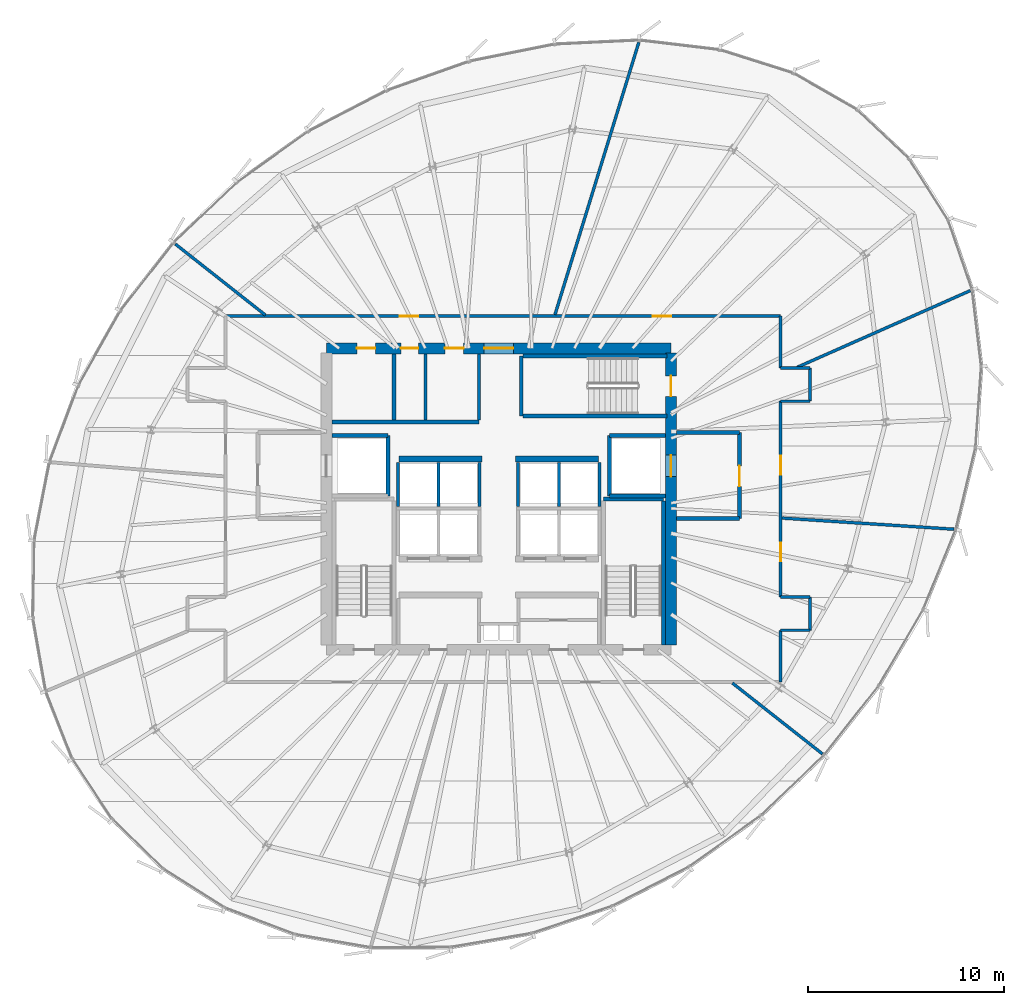
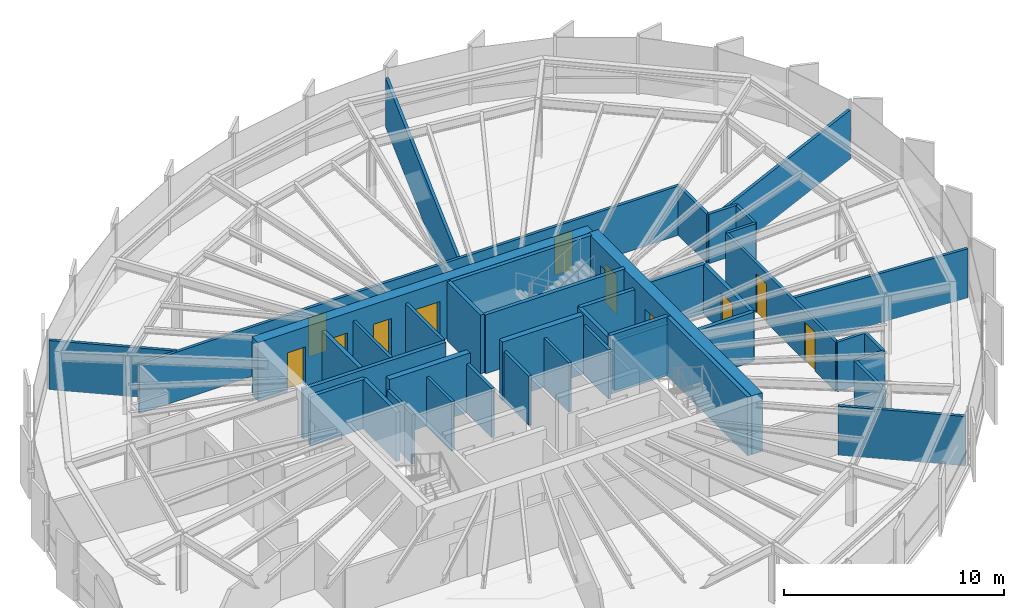
# One storey, part 31 of 35: 42 walls, 11 doors, 11 openings.
"""IFC4 building model written with IfcOpenShell, lengths in metres."""

from ifc_helpers import new_model, si_unit, direction, frame, frame_2d, origin, place, context, subcontext, project, spatial, rectangle, extrude, source, transform, mapped, material, layer, layer_set, type_object, element, fill, save


model = new_model("IFC4")

# Units and contexts
model_context = context("Model", 3, precision=1e-05, world=origin(), true_north=direction((0.0, 1.0)))
body_context = subcontext(model_context, "Body", "Model", "MODEL_VIEW")
ifc_project = project(units=[si_unit("LENGTHUNIT", "METRE"), si_unit("AREAUNIT", "SQUARE_METRE"), si_unit("VOLUMEUNIT", "CUBIC_METRE"), si_unit("PLANEANGLEUNIT", "RADIAN"), si_unit("MASSUNIT", "GRAM", prefix="KILO"), si_unit("THERMODYNAMICTEMPERATUREUNIT", "KELVIN")], contexts=[model_context])

# Site, building, storey
site_placement = place(None, origin())
site = spatial("IfcSite", under=ifc_project, at=site_placement, CompositionType="ELEMENT")
building_placement = place(site_placement, origin())
building = spatial("IfcBuilding", under=site, at=building_placement, Name="Kethvar Cultural Tower", CompositionType="ELEMENT")
storey_placement = place(building_placement, frame((0.0, 0.0, 193.89990234375)))
storey = spatial("IfcBuildingStorey", under=building, at=storey_placement, Name="L50", CompositionType="ELEMENT", Elevation=193.89990234375)

# Wall, openings, doors
ifc_material_1 = material(Name="Concrete C60/75", Category="concrete")
ifc_layer_1 = layer(ifc_material_1, 0.550048828125, Name="Concrete C60/75", Category="concrete")
ifc_layer_set_1 = layer_set([ifc_layer_1], Name="Concrete C60/75 (550 mm)")
wall_type_1 = type_object("IfcWallType", Name="WL-CORE-550", PredefinedType="SHEAR", material=ifc_layer_set_1)
wall_1_placement = place(storey_placement, frame((55.60009765625, 35.5, 0.0), z_axis=(0.0, 0.0, 1.0), x_axis=(-1.0, 0.0, 0.0)))
wall_1 = element("IfcWall", 1, at=wall_1_placement, inside=storey, type_object=wall_type_1, Name="L50 Core Shear Wall N", PredefinedType="SHEAR", context=body_context, shape_type="SweptSolid", body=[
    extrude(rectangle(XDim=17.60009765625, YDim=0.550048828125, at=frame_2d((8.800048828125, 0.0))), origin(), (0.0, 0.0, 1.0), 3.260009765625),
])
opening_1_placement = place(wall_1_placement, frame((8.050048828125, 0.0, 0.0)))
opening_1 = element("IfcOpeningElement", 2, at=opening_1_placement, cuts=wall_1, Name="Opening D-L50-LN", PredefinedType="OPENING", context=body_context, shape_type="SweptSolid", body=[
    extrude(rectangle(XDim=1.5, YDim=2.199951171875, at=frame_2d((0.75, 1.10009765625))), frame((0.0, 0.284912109375, 0.0), z_axis=(0.0, -1.0, 0.0), x_axis=(1.0, 0.0, 0.0)), (0.0, 0.0, 1.0), 0.570068359375),
])
opening_2_placement = place(wall_1_placement, frame((15.10009765625, 0.0, 0.0)))
opening_2 = element("IfcOpeningElement", 3, at=opening_2_placement, cuts=wall_1, Name="Opening D-L50-E1", PredefinedType="OPENING", context=body_context, shape_type="SweptSolid", body=[
    extrude(rectangle(XDim=0.949951171875, YDim=2.14990234375, at=frame_2d((0.47509765625, 1.074951171875))), frame((0.0, 0.284912109375, 0.0), z_axis=(0.0, -1.0, 0.0), x_axis=(1.0, 0.0, 0.0)), (0.0, 0.0, 1.0), 0.570068359375),
])
opening_3_placement = place(wall_1_placement, frame((12.89990234375, 0.0, 0.0)))
opening_3 = element("IfcOpeningElement", 4, at=opening_3_placement, cuts=wall_1, Name="Opening D-L50-W1", PredefinedType="OPENING", context=body_context, shape_type="SweptSolid", body=[
    extrude(rectangle(XDim=0.89990234375, YDim=2.14990234375, at=frame_2d((0.449951171875, 1.074951171875))), frame((0.0, 0.284912109375, 0.0), z_axis=(0.0, -1.0, 0.0), x_axis=(1.0, 0.0, 0.0)), (0.0, 0.0, 1.0), 0.570068359375),
])
opening_4_placement = place(wall_1_placement, frame((10.60009765625, 0.0, 0.0)))
opening_4 = element("IfcOpeningElement", 5, at=opening_4_placement, cuts=wall_1, Name="Opening D-L50-W2", PredefinedType="OPENING", context=body_context, shape_type="SweptSolid", body=[
    extrude(rectangle(XDim=0.949951171875, YDim=2.14990234375, at=frame_2d((0.47509765625, 1.074951171875))), frame((0.0, 0.284912109375, 0.0), z_axis=(0.0, -1.0, 0.0), x_axis=(1.0, 0.0, 0.0)), (0.0, 0.0, 1.0), 0.570068359375),
])
ifc_material_2 = material(Name="Architectural Oak Timber", Category="wood")
door_type_1 = type_object("IfcDoorType", Name="DR-DBL-FD60-1500", OperationType="DOUBLE_DOOR_SINGLE_SWING", PredefinedType="DOOR", material=ifc_material_2)
shared_shape_1 = source(origin(), body_context, "Body", "SweptSolid", [
    extrude(rectangle(XDim=1.5, YDim=2.199951171875, at=frame_2d((0.75, 1.10009765625))), frame((0.0, 0.02490234375, 0.0), z_axis=(0.0, -1.0, 0.0), x_axis=(1.0, 0.0, 0.0)), (0.0, 0.0, 1.0), 0.050048828125),
])
door_1_placement = place(opening_1_placement, origin())
door_1 = element("IfcDoor", 6, at=door_1_placement, inside=storey, type_object=door_type_1, Name="L50 Lift Lobby Concourse Door", OperationType="DOUBLE_DOOR_SINGLE_SWING", OverallHeight=2.199951171875, OverallWidth=1.5, PredefinedType="DOOR", context=body_context, shape_type="MappedRepresentation", body=[
    mapped(shared_shape_1, transform((0.0, 0.0, 0.0), scale=1.0)),
])
fill(opening_1, door_1)
door_type_2 = type_object("IfcDoorType", Name="DR-FD30-950", OperationType="NOTDEFINED", PredefinedType="DOOR", material=ifc_material_2)
shared_shape_2 = source(origin(), body_context, "Body", "SweptSolid", [
    extrude(rectangle(XDim=0.949951171875, YDim=2.14990234375, at=frame_2d((0.47509765625, 1.074951171875))), frame((0.0, 0.02490234375, 0.0), z_axis=(0.0, -1.0, 0.0), x_axis=(1.0, 0.0, 0.0)), (0.0, 0.0, 1.0), 0.050048828125),
])
door_2_placement = place(opening_2_placement, origin())
door_2 = element("IfcDoor", 7, at=door_2_placement, inside=storey, type_object=door_type_2, Name="L50 Electrical Switchgear Door", OperationType="SINGLE_SWING_RIGHT", OverallHeight=2.14990234375, OverallWidth=0.949951171875, PredefinedType="DOOR", context=body_context, shape_type="MappedRepresentation", body=[
    mapped(shared_shape_2, transform((0.0, 0.0, 0.0), scale=1.0)),
])
fill(opening_2, door_2)
door_3_placement = place(opening_4_placement, origin())
door_3 = element("IfcDoor", 8, at=door_3_placement, inside=storey, type_object=door_type_2, Name="L50 Public Washroom Door", OperationType="SINGLE_SWING_RIGHT", OverallHeight=2.14990234375, OverallWidth=0.949951171875, PredefinedType="DOOR", context=body_context, shape_type="MappedRepresentation", body=[
    mapped(shared_shape_2, transform((0.0, 0.0, 0.0), scale=1.0)),
])
fill(opening_4, door_3)
door_type_3 = type_object("IfcDoorType", Name="DR-FD30-900", OperationType="NOTDEFINED", PredefinedType="DOOR", material=ifc_material_2)
shared_shape_3 = source(origin(), body_context, "Body", "SweptSolid", [
    extrude(rectangle(XDim=0.89990234375, YDim=2.14990234375, at=frame_2d((0.449951171875, 1.074951171875))), frame((0.0, 0.02490234375, 0.0), z_axis=(0.0, -1.0, 0.0), x_axis=(1.0, 0.0, 0.0)), (0.0, 0.0, 1.0), 0.050048828125),
])
door_4_placement = place(opening_3_placement, origin())
door_4 = element("IfcDoor", 9, at=door_4_placement, inside=storey, type_object=door_type_3, Name="L50 Accessible Washroom Door", OperationType="SINGLE_SWING_LEFT", OverallHeight=2.14990234375, OverallWidth=0.89990234375, PredefinedType="DOOR", context=body_context, shape_type="MappedRepresentation", body=[
    mapped(shared_shape_3, transform((0.0, 0.0, 0.0), scale=1.0)),
])
fill(opening_3, door_4)

wall_2_placement = place(storey_placement, frame((55.60009765625, 20.340087890625, 0.0), z_axis=(0.0, 0.0, 1.0), x_axis=(0.0, 1.0, 0.0)))
wall_2 = element("IfcWall", 10, at=wall_2_placement, inside=storey, type_object=wall_type_1, Name="L50 Core Shear Wall E", PredefinedType="SHEAR", context=body_context, shape_type="SweptSolid", body=[
    extrude(rectangle(XDim=14.919921875, YDim=0.550048828125, at=frame_2d((7.4599609375, 0.0))), origin(), (0.0, 0.0, 1.0), 3.260009765625),
])
opening_5_placement = place(wall_2_placement, frame((12.7099609375, 0.0, 0.0)))
opening_5 = element("IfcOpeningElement", 11, at=opening_5_placement, cuts=wall_2, Name="Opening D-L50-S3", PredefinedType="OPENING", context=body_context, shape_type="SweptSolid", body=[
    extrude(rectangle(XDim=1.050048828125, YDim=2.14990234375, at=frame_2d((0.52490234375, 1.074951171875))), frame((0.0, 0.284912109375, 0.0), z_axis=(0.0, -1.0, 0.0), x_axis=(1.0, 0.0, 0.0)), (0.0, 0.0, 1.0), 0.570068359375),
])
opening_6_placement = place(wall_2_placement, frame((8.610107421875, 0.0, 0.0)))
opening_6 = element("IfcOpeningElement", 12, at=opening_6_placement, cuts=wall_2, Name="Opening LD-2", PredefinedType="OPENING", context=body_context, shape_type="SweptSolid", body=[
    extrude(rectangle(XDim=1.10009765625, YDim=2.199951171875, at=frame_2d((0.550048828125, 1.10009765625))), frame((0.0, 0.284912109375, 0.0), z_axis=(0.0, -1.0, 0.0), x_axis=(1.0, 0.0, 0.0)), (0.0, 0.0, 1.0), 0.570068359375),
])
ifc_material_3 = material(Name="Steel S355J2", Category="steel")
door_type_4 = type_object("IfcDoorType", Name="DR-FD60-1050", OperationType="NOTDEFINED", PredefinedType="DOOR", material=ifc_material_3)
shared_shape_4 = source(origin(), body_context, "Body", "SweptSolid", [
    extrude(rectangle(XDim=1.050048828125, YDim=2.14990234375, at=frame_2d((0.52490234375, 1.074951171875))), frame((0.0, 0.02490234375, 0.0), z_axis=(0.0, -1.0, 0.0), x_axis=(1.0, 0.0, 0.0)), (0.0, 0.0, 1.0), 0.050048828125),
])
door_5_placement = place(opening_5_placement, origin())
door_5 = element("IfcDoor", 13, at=door_5_placement, inside=storey, type_object=door_type_4, Name="L50 Exit Stair 3 Door", OperationType="SINGLE_SWING_LEFT", OverallHeight=2.14990234375, OverallWidth=1.050048828125, PredefinedType="DOOR", context=body_context, shape_type="MappedRepresentation", body=[
    mapped(shared_shape_4, transform((0.0, 0.0, 0.0), scale=1.0)),
])
fill(opening_5, door_5)
door_type_5 = type_object("IfcDoorType", Name="DR-LIFT-SLIDE-1100", OperationType="NOTDEFINED", PredefinedType="DOOR", material=ifc_material_3)
shared_shape_5 = source(origin(), body_context, "Body", "SweptSolid", [
    extrude(rectangle(XDim=1.10009765625, YDim=2.199951171875, at=frame_2d((0.550048828125, 1.10009765625))), frame((0.0, 0.02490234375, 0.0), z_axis=(0.0, -1.0, 0.0), x_axis=(1.0, 0.0, 0.0)), (0.0, 0.0, 1.0), 0.050048828125),
])
door_6_placement = place(opening_6_placement, origin())
door_6 = element("IfcDoor", 14, at=door_6_placement, inside=storey, type_object=door_type_5, Name="L50 Firefighting Lift Landing Door FFL-02", OperationType="SLIDING_TO_RIGHT", OverallHeight=2.199951171875, OverallWidth=1.10009765625, PredefinedType="DOOR", context=body_context, shape_type="MappedRepresentation", body=[
    mapped(shared_shape_5, transform((0.0, 0.0, 0.0), scale=1.0)),
])
fill(opening_6, door_6)

# Walls
ifc_material_4 = material(Name="Gypsum Fireboard Partition")
ifc_layer_2 = layer(ifc_material_4, 0.14990234375, Name="Gypsum Fireboard Partition")
ifc_layer_set_2 = layer_set([ifc_layer_2], Name="Gypsum Fireboard Partition (150 mm)")
wall_type_2 = type_object("IfcWallType", Name="WL-FIRE-150", PredefinedType="PARTITIONING", material=ifc_layer_set_2)
for number, where, z_axis, x_axis, name in (
    (15, (41.64990234375, 27.409912109375, 0.0), (0.0, 0.0, 1.0), (0.0, 1.0, 0.0), "L50 High-Rise Lift Shaft Outer Wall W"),
    (16, (43.72509765625, 27.409912109375, 0.0), (0.0, 0.0, 1.0), (0.0, 1.0, 0.0), "L50 High-Rise Lift Shaft Divider W"),
    (17, (45.824951171875, 27.409912109375, 0.0), (0.0, 0.0, 1.0), (0.0, 1.0, 0.0), "L50 High-Rise Lift Shaft Concourse Wall W"),
    (18, (47.77490234375, 27.409912109375, 0.0), (0.0, 0.0, 1.0), (0.0, 1.0, 0.0), "L50 High-Rise Lift Shaft Concourse Wall E"),
    (19, (49.875, 27.409912109375, 0.0), (0.0, 0.0, 1.0), (0.0, 1.0, 0.0), "L50 High-Rise Lift Shaft Divider E"),
    (20, (51.949951171875, 27.409912109375, 0.0), (0.0, 0.0, 1.0), (0.0, 1.0, 0.0), "L50 High-Rise Lift Shaft Outer Wall E"),
):
    element("IfcWall", number, at=place(storey_placement, frame(where, z_axis=z_axis, x_axis=x_axis)), inside=storey, type_object=wall_type_2, Name=name, PredefinedType="PARTITIONING", context=body_context, shape_type="SweptSolid", body=[
        extrude(rectangle(XDim=2.27001953125, YDim=0.14990234375, at=frame_2d((1.135009765625, 0.0))), origin(), (0.0, 0.0, 1.0), 2.735107421875),
    ])
wall_3_placement = place(storey_placement, frame((45.800048828125, 31.85009765625, 0.0), z_axis=(0.0, 0.0, 1.0), x_axis=(0.0, 1.0, 0.0)))
element("IfcWall", 21, at=wall_3_placement, inside=storey, type_object=wall_type_2, Name="L50 Sanitary Spine Wall", PredefinedType="PARTITIONING", context=body_context, shape_type="SweptSolid", body=[
    extrude(rectangle(XDim=3.364990234375, YDim=0.14990234375, at=frame_2d((1.6826171875, 0.0))), origin(), (0.0, 0.0, 1.0), 2.735107421875),
])
wall_4_placement = place(storey_placement, frame((61.199951171875, 18.449951171875, 0.0), z_axis=(0.0, 0.0, 1.0), x_axis=(0.0, 1.0, 0.0)))
element("IfcWall", 22, at=wall_4_placement, inside=storey, type_object=wall_type_2, Name="L50 Corridor Rated Wall E1", PredefinedType="PARTITIONING", context=body_context, shape_type="SweptSolid", body=[
    extrude(rectangle(XDim=2.650146484375, YDim=0.14990234375, at=frame_2d((1.3251953125, 0.0))), origin(), (0.0, 0.0, 1.0), 2.735107421875),
])
wall_5_placement = place(storey_placement, frame((61.199951171875, 21.10009765625, 0.0), z_axis=(0.0, 0.0, 1.0), x_axis=(1.0, 0.0, 0.0)))
element("IfcWall", 23, at=wall_5_placement, inside=storey, type_object=wall_type_2, Name="L50 Corridor Rated Wall ESB", PredefinedType="PARTITIONING", context=body_context, shape_type="SweptSolid", body=[
    extrude(rectangle(XDim=1.5, YDim=0.14990234375, at=frame_2d((0.75, 0.0))), origin(), (0.0, 0.0, 1.0), 2.735107421875),
])
wall_6_placement = place(storey_placement, frame((62.699951171875, 21.10009765625, 0.0), z_axis=(0.0, 0.0, 1.0), x_axis=(0.0, 1.0, 0.0)))
element("IfcWall", 24, at=wall_6_placement, inside=storey, type_object=wall_type_2, Name="L50 Corridor Rated Wall ES", PredefinedType="PARTITIONING", context=body_context, shape_type="SweptSolid", body=[
    extrude(rectangle(XDim=1.699951171875, YDim=0.14990234375, at=frame_2d((0.85009765625, 0.0))), origin(), (0.0, 0.0, 1.0), 2.735107421875),
])
wall_7_placement = place(storey_placement, frame((62.699951171875, 22.800048828125, 0.0), z_axis=(0.0, 0.0, 1.0), x_axis=(-1.0, 0.0, 0.0)))
element("IfcWall", 25, at=wall_7_placement, inside=storey, type_object=wall_type_2, Name="L50 Corridor Rated Wall EST", PredefinedType="PARTITIONING", context=body_context, shape_type="SweptSolid", body=[
    extrude(rectangle(XDim=1.5, YDim=0.14990234375, at=frame_2d((0.75, 0.0))), origin(), (0.0, 0.0, 1.0), 2.735107421875),
])

# Wall, openings, doors
wall_8_placement = place(storey_placement, frame((61.199951171875, 22.800048828125, 0.0), z_axis=(0.0, 0.0, 1.0), x_axis=(0.0, 1.0, 0.0)))
wall_8 = element("IfcWall", 26, at=wall_8_placement, inside=storey, type_object=wall_type_2, Name="L50 Corridor Rated Wall EM", PredefinedType="PARTITIONING", context=body_context, shape_type="SweptSolid", body=[
    extrude(rectangle(XDim=10.0, YDim=0.14990234375, at=frame_2d((5.0, 0.0))), origin(), (0.0, 0.0, 1.0), 2.735107421875),
])
opening_7_placement = place(wall_8_placement, frame((1.8330078125, 0.0, 0.0)))
opening_7 = element("IfcOpeningElement", 27, at=opening_7_placement, cuts=wall_8, Name="Opening D-L50-03", PredefinedType="OPENING", context=body_context, shape_type="SweptSolid", body=[
    extrude(rectangle(XDim=0.949951171875, YDim=2.14990234375, at=frame_2d((0.47509765625, 1.074951171875))), frame((0.0, 0.0849609375, 0.0), z_axis=(0.0, -1.0, 0.0), x_axis=(1.0, 0.0, 0.0)), (0.0, 0.0, 1.0), 0.169921875),
])
opening_8_placement = place(wall_8_placement, frame((6.252685546875, 0.0, 0.0)))
opening_8 = element("IfcOpeningElement", 28, at=opening_8_placement, cuts=wall_8, Name="Opening D-L50-04", PredefinedType="OPENING", context=body_context, shape_type="SweptSolid", body=[
    extrude(rectangle(XDim=0.949951171875, YDim=2.14990234375, at=frame_2d((0.47509765625, 1.074951171875))), frame((0.0, 0.0849609375, 0.0), z_axis=(0.0, -1.0, 0.0), x_axis=(1.0, 0.0, 0.0)), (0.0, 0.0, 1.0), 0.169921875),
])
door_7_placement = place(opening_7_placement, origin())
door_7 = element("IfcDoor", 29, at=door_7_placement, inside=storey, type_object=door_type_2, Name="L50 Decorative Arts Craft Workshop 03 Door", OperationType="SINGLE_SWING_LEFT", OverallHeight=2.14990234375, OverallWidth=0.949951171875, PredefinedType="DOOR", context=body_context, shape_type="MappedRepresentation", body=[
    mapped(shared_shape_2, transform((0.0, 0.0, 0.0), scale=1.0)),
])
fill(opening_7, door_7)
door_8_placement = place(opening_8_placement, origin())
door_8 = element("IfcDoor", 30, at=door_8_placement, inside=storey, type_object=door_type_2, Name="L50 Curatorial Conference Room 04 Door", OperationType="SINGLE_SWING_RIGHT", OverallHeight=2.14990234375, OverallWidth=0.949951171875, PredefinedType="DOOR", context=body_context, shape_type="MappedRepresentation", body=[
    mapped(shared_shape_2, transform((0.0, 0.0, 0.0), scale=1.0)),
])
fill(opening_8, door_8)

# Walls
wall_9_placement = place(storey_placement, frame((61.199951171875, 32.800048828125, 0.0), z_axis=(0.0, 0.0, 1.0), x_axis=(1.0, 0.0, 0.0)))
element("IfcWall", 31, at=wall_9_placement, inside=storey, type_object=wall_type_2, Name="L50 Corridor Rated Wall ENB", PredefinedType="PARTITIONING", context=body_context, shape_type="SweptSolid", body=[
    extrude(rectangle(XDim=1.5, YDim=0.14990234375, at=frame_2d((0.75, 0.0))), origin(), (0.0, 0.0, 1.0), 2.735107421875),
])
wall_10_placement = place(storey_placement, frame((62.699951171875, 32.800048828125, 0.0), z_axis=(0.0, 0.0, 1.0), x_axis=(0.0, 1.0, 0.0)))
element("IfcWall", 32, at=wall_10_placement, inside=storey, type_object=wall_type_2, Name="L50 Corridor Rated Wall EN", PredefinedType="PARTITIONING", context=body_context, shape_type="SweptSolid", body=[
    extrude(rectangle(XDim=1.699951171875, YDim=0.14990234375, at=frame_2d((0.85009765625, 0.0))), origin(), (0.0, 0.0, 1.0), 2.735107421875),
])
wall_11_placement = place(storey_placement, frame((62.699951171875, 34.5, 0.0), z_axis=(0.0, 0.0, 1.0), x_axis=(-1.0, 0.0, 0.0)))
element("IfcWall", 33, at=wall_11_placement, inside=storey, type_object=wall_type_2, Name="L50 Corridor Rated Wall ENT", PredefinedType="PARTITIONING", context=body_context, shape_type="SweptSolid", body=[
    extrude(rectangle(XDim=1.5, YDim=0.14990234375, at=frame_2d((0.75, 0.0))), origin(), (0.0, 0.0, 1.0), 2.735107421875),
])
wall_12_placement = place(storey_placement, frame((61.199951171875, 34.5, 0.0), z_axis=(0.0, 0.0, 1.0), x_axis=(0.0, 1.0, 0.0)))
element("IfcWall", 34, at=wall_12_placement, inside=storey, type_object=wall_type_2, Name="L50 Corridor Rated Wall E2", PredefinedType="PARTITIONING", context=body_context, shape_type="SweptSolid", body=[
    extrude(rectangle(XDim=2.64990234375, YDim=0.14990234375, at=frame_2d((1.324951171875, 0.0))), origin(), (0.0, 0.0, 1.0), 2.735107421875),
])

# Wall, openings, doors
wall_13_placement = place(storey_placement, frame((61.199951171875, 37.14990234375, 0.0), z_axis=(0.0, 0.0, 1.0), x_axis=(-1.0, 0.0, 0.0)))
wall_13 = element("IfcWall", 35, at=wall_13_placement, inside=storey, type_object=wall_type_2, Name="L50 Corridor Rated Wall N", PredefinedType="PARTITIONING", context=body_context, shape_type="SweptSolid", body=[
    extrude(rectangle(XDim=28.349853515625, YDim=0.14990234375, at=frame_2d((14.1748046875, 0.0))), origin(), (0.0, 0.0, 1.0), 2.735107421875),
])
opening_9_placement = place(wall_13_placement, frame((5.589111328125, 0.0, 0.0)))
opening_9 = element("IfcOpeningElement", 36, at=opening_9_placement, cuts=wall_13, Name="Opening D-L50-05", PredefinedType="OPENING", context=body_context, shape_type="SweptSolid", body=[
    extrude(rectangle(XDim=0.949951171875, YDim=2.14990234375, at=frame_2d((0.47509765625, 1.074951171875))), frame((0.0, 0.0849609375, 0.0), z_axis=(0.0, -1.0, 0.0), x_axis=(1.0, 0.0, 0.0)), (0.0, 0.0, 1.0), 0.169921875),
])
opening_10_placement = place(wall_13_placement, frame((18.506591796875, 0.0, 0.0)))
opening_10 = element("IfcOpeningElement", 37, at=opening_10_placement, cuts=wall_13, Name="Opening D-L50-06", PredefinedType="OPENING", context=body_context, shape_type="SweptSolid", body=[
    extrude(rectangle(XDim=0.949951171875, YDim=2.14990234375, at=frame_2d((0.47509765625, 1.074951171875))), frame((0.0, 0.0849609375, 0.0), z_axis=(0.0, -1.0, 0.0), x_axis=(1.0, 0.0, 0.0)), (0.0, 0.0, 1.0), 0.169921875),
])
door_9_placement = place(opening_9_placement, origin())
door_9 = element("IfcDoor", 38, at=door_9_placement, inside=storey, type_object=door_type_2, Name="L50 Colloquium Seminar Room 05 Door", OperationType="SINGLE_SWING_LEFT", OverallHeight=2.14990234375, OverallWidth=0.949951171875, PredefinedType="DOOR", context=body_context, shape_type="MappedRepresentation", body=[
    mapped(shared_shape_2, transform((0.0, 0.0, 0.0), scale=1.0)),
])
fill(opening_9, door_9)
door_10_placement = place(opening_10_placement, origin())
door_10 = element("IfcDoor", 39, at=door_10_placement, inside=storey, type_object=door_type_2, Name="L50 Concourse Visitor Foyer 06 Door", OperationType="SINGLE_SWING_RIGHT", OverallHeight=2.14990234375, OverallWidth=0.949951171875, PredefinedType="DOOR", context=body_context, shape_type="MappedRepresentation", body=[
    mapped(shared_shape_2, transform((0.0, 0.0, 0.0), scale=1.0)),
])
fill(opening_10, door_10)

# Walls
ifc_material_5 = material(Name="Concrete C40/50", Category="concrete")
ifc_layer_3 = layer(ifc_material_5, 0.199951171875, Name="Concrete C40/50", Category="concrete")
ifc_layer_set_3 = layer_set([ifc_layer_3], Name="Concrete C40/50 (200 mm)")
wall_type_3 = type_object("IfcWallType", Name="WL-FIRE-200", PredefinedType="PARTITIONING", material=ifc_layer_set_3)
wall_14_placement = place(storey_placement, frame((41.14990234375, 27.949951171875, 0.0), z_axis=(0.0, 0.0, 1.0), x_axis=(0.0, 1.0, 0.0)))
element("IfcWall", 40, at=wall_14_placement, inside=storey, type_object=wall_type_3, Name="L50 FFL-01 Shaft Inner Wall", PredefinedType="PARTITIONING", context=body_context, shape_type="SweptSolid", body=[
    extrude(rectangle(XDim=3.10009765625, YDim=0.199951171875, at=frame_2d((1.550048828125, 0.0))), origin(), (0.0, 0.0, 1.0), 2.735107421875),
])
wall_15_placement = place(storey_placement, frame((38.284912109375, 31.050048828125, 0.0), z_axis=(0.0, 0.0, 1.0), x_axis=(1.0, 0.0, 0.0)))
element("IfcWall", 41, at=wall_15_placement, inside=storey, type_object=wall_type_3, Name="L50 FFL-01 Shaft North Wall", PredefinedType="PARTITIONING", context=body_context, shape_type="SweptSolid", body=[
    extrude(rectangle(XDim=2.864990234375, YDim=0.199951171875, at=frame_2d((1.4326171875, 0.0))), origin(), (0.0, 0.0, 1.0), 2.735107421875),
])
wall_16_placement = place(storey_placement, frame((52.449951171875, 27.949951171875, 0.0), z_axis=(0.0, 0.0, 1.0), x_axis=(0.0, 1.0, 0.0)))
element("IfcWall", 42, at=wall_16_placement, inside=storey, type_object=wall_type_3, Name="L50 FFL-02 Shaft Inner Wall", PredefinedType="PARTITIONING", context=body_context, shape_type="SweptSolid", body=[
    extrude(rectangle(XDim=3.10009765625, YDim=0.199951171875, at=frame_2d((1.550048828125, 0.0))), origin(), (0.0, 0.0, 1.0), 2.735107421875),
])
for number, where, z_axis, x_axis, name in (
    (43, (52.449951171875, 27.949951171875, 0.0), (0.0, 0.0, 1.0), (1.0, 0.0, 0.0), "L50 FFL-02 Shaft South Wall"),
    (44, (52.449951171875, 31.050048828125, 0.0), (0.0, 0.0, 1.0), (1.0, 0.0, 0.0), "L50 FFL-02 Shaft North Wall"),
):
    element("IfcWall", number, at=place(storey_placement, frame(where, z_axis=z_axis, x_axis=x_axis)), inside=storey, type_object=wall_type_3, Name=name, PredefinedType="PARTITIONING", context=body_context, shape_type="SweptSolid", body=[
        extrude(rectangle(XDim=2.864990234375, YDim=0.199951171875, at=frame_2d((1.4326171875, 0.0))), origin(), (0.0, 0.0, 1.0), 2.735107421875),
    ])

# Wall, opening, door
wall_17_placement = place(storey_placement, frame((59.10009765625, 26.800048828125, 0.0), z_axis=(0.0, 0.0, 1.0), x_axis=(0.0, 1.0, 0.0)))
wall_17 = element("IfcWall", 45, at=wall_17_placement, inside=storey, type_object=wall_type_3, Name="L50 Firefighting Lobby 2 Wall", PredefinedType="PARTITIONING", context=body_context, shape_type="SweptSolid", body=[
    extrude(rectangle(XDim=4.39990234375, YDim=0.199951171875, at=frame_2d((2.199951171875, 0.0))), origin(), (0.0, 0.0, 1.0), 2.735107421875),
])
opening_11_placement = place(wall_17_placement, frame((1.64990234375, 0.0, 0.0)))
opening_11 = element("IfcOpeningElement", 46, at=opening_11_placement, cuts=wall_17, Name="Opening D-L50-F2", PredefinedType="OPENING", context=body_context, shape_type="SweptSolid", body=[
    extrude(rectangle(XDim=1.050048828125, YDim=2.14990234375, at=frame_2d((0.52490234375, 1.074951171875))), frame((0.0, 0.10986328125, 0.0), z_axis=(0.0, -1.0, 0.0), x_axis=(1.0, 0.0, 0.0)), (0.0, 0.0, 1.0), 0.219970703125),
])
door_11_placement = place(opening_11_placement, origin())
door_11 = element("IfcDoor", 47, at=door_11_placement, inside=storey, type_object=door_type_4, Name="L50 Firefighting Lobby 2 Fire Door", OperationType="SINGLE_SWING_LEFT", OverallHeight=2.14990234375, OverallWidth=1.050048828125, PredefinedType="DOOR", context=body_context, shape_type="MappedRepresentation", body=[
    mapped(shared_shape_4, transform((0.0, 0.0, 0.0), scale=1.0)),
])
fill(opening_11, door_11)

# Walls
for number, where, z_axis, x_axis, name in (
    (48, (55.885009765625, 26.800048828125, 0.0), (0.0, 0.0, 1.0), (1.0, 0.0, 0.0), "L50 FF Lobby 2 South Wall"),
    (49, (55.885009765625, 31.199951171875, 0.0), (0.0, 0.0, 1.0), (1.0, 0.0, 0.0), "L50 FF Lobby 2 North Wall"),
):
    element("IfcWall", number, at=place(storey_placement, frame(where, z_axis=z_axis, x_axis=x_axis)), inside=storey, type_object=wall_type_3, Name=name, PredefinedType="PARTITIONING", context=body_context, shape_type="SweptSolid", body=[
        extrude(rectangle(XDim=3.215087890625, YDim=0.199951171875, at=frame_2d((1.607421875, 0.0))), origin(), (0.0, 0.0, 1.0), 2.735107421875),
    ])
wall_18_placement = place(storey_placement, frame((41.449951171875, 31.85009765625, 0.0), z_axis=(0.0, 0.0, 1.0), x_axis=(0.0, 1.0, 0.0)))
element("IfcWall", 50, at=wall_18_placement, inside=storey, type_object=wall_type_3, Name="L50 NW Core Pocket Wall", PredefinedType="PARTITIONING", context=body_context, shape_type="SweptSolid", body=[
    extrude(rectangle(XDim=3.364990234375, YDim=0.199951171875, at=frame_2d((1.6826171875, 0.0))), origin(), (0.0, 0.0, 1.0), 2.735107421875),
])
wall_19_placement = place(storey_placement, frame((38.284912109375, 31.72998046875, 0.0), z_axis=(0.0, 0.0, 1.0), x_axis=(1.0, 0.0, 0.0)))
element("IfcWall", 51, at=wall_19_placement, inside=storey, type_object=wall_type_3, Name="L50 North Core Sanitary South Wall", PredefinedType="PARTITIONING", context=body_context, shape_type="SweptSolid", body=[
    extrude(rectangle(XDim=7.51513671875, YDim=0.199951171875, at=frame_2d((3.757568359375, 0.0))), origin(), (0.0, 0.0, 1.0), 2.735107421875),
])
ifc_material_6 = material(Name="Gypsum Acoustic Partition")
ifc_layer_4 = layer(ifc_material_6, 0.14990234375, Name="Gypsum Acoustic Partition")
ifc_layer_set_4 = layer_set([ifc_layer_4], Name="Gypsum Acoustic Partition (150 mm)")
wall_type_4 = type_object("IfcWallType", Name="WL-PART-150", PredefinedType="PARTITIONING", material=ifc_layer_set_4)
wall_20_placement = place(storey_placement, frame((58.7412109375, 18.400390625, 0.0), z_axis=(0.0, 0.0, 1.0), x_axis=(0.785786636701, -0.618497664977, 0.0)))
element("IfcWall", 52, at=wall_20_placement, inside=storey, type_object=wall_type_4, Name="L50 Radial Partition Wall 03", PredefinedType="PARTITIONING", context=body_context, shape_type="SweptSolid", body=[
    extrude(rectangle(XDim=5.850830078125, YDim=0.14990234375, at=frame_2d((2.92529296875, 0.0))), origin(), (0.0, 0.0, 1.0), 2.735107421875),
])
wall_21_placement = place(storey_placement, frame((61.27978515625, 26.830810546875, 0.0), z_axis=(0.0, 0.0, 1.0), x_axis=(0.99790192977, -0.064743637227, 0.0)))
element("IfcWall", 53, at=wall_21_placement, inside=storey, type_object=wall_type_4, Name="L50 Radial Partition Wall 04", PredefinedType="PARTITIONING", context=body_context, shape_type="SweptSolid", body=[
    extrude(rectangle(XDim=8.7900390625, YDim=0.14990234375, at=frame_2d((4.39501953125, 0.0))), origin(), (0.0, 0.0, 1.0), 2.735107421875),
])
wall_22_placement = place(storey_placement, frame((62.041748046875, 34.532470703125, 0.0), z_axis=(0.0, 0.0, 1.0), x_axis=(0.91436285984, 0.40489574034, 0.0)))
element("IfcWall", 54, at=wall_22_placement, inside=storey, type_object=wall_type_4, Name="L50 Radial Partition Wall 05", PredefinedType="PARTITIONING", context=body_context, shape_type="SweptSolid", body=[
    extrude(rectangle(XDim=9.681884765625, YDim=0.14990234375, at=frame_2d((4.8408203125, 0.0))), origin(), (0.0, 0.0, 1.0), 2.735107421875),
])
wall_23_placement = place(storey_placement, frame((49.67529296875, 37.2265625, 0.0), z_axis=(0.0, 0.0, 1.0), x_axis=(0.294123572803, 0.955767400533, 0.0)))
element("IfcWall", 55, at=wall_23_placement, inside=storey, type_object=wall_type_4, Name="L50 Radial Partition Wall 06", PredefinedType="PARTITIONING", context=body_context, shape_type="SweptSolid", body=[
    extrude(rectangle(XDim=14.552734375, YDim=0.14990234375, at=frame_2d((7.2763671875, 0.0))), origin(), (0.0, 0.0, 1.0), 2.735107421875),
])
wall_24_placement = place(storey_placement, frame((34.88134765625, 37.199462890625, 0.0), z_axis=(0.0, 0.0, 1.0), x_axis=(-0.785139524044, 0.619318922514, 0.0)))
element("IfcWall", 56, at=wall_24_placement, inside=storey, type_object=wall_type_4, Name="L50 Radial Partition Wall 07", PredefinedType="PARTITIONING", context=body_context, shape_type="SweptSolid", body=[
    extrude(rectangle(XDim=5.8642578125, YDim=0.14990234375, at=frame_2d((2.93212890625, 0.0))), origin(), (0.0, 0.0, 1.0), 2.735107421875),
])
ifc_material_7 = material(Name="Moisture-Resistant Sanitary Chase Wall")
ifc_layer_5 = layer(ifc_material_7, 0.14990234375, Name="Moisture-Resistant Sanitary Chase Wall")
ifc_layer_set_5 = layer_set([ifc_layer_5], Name="Moisture-Resistant Sanitary Chase Wall (150 mm)")
wall_type_5 = type_object("IfcWallType", Name="WL-PLUMB-150", PredefinedType="PLUMBINGWALL", material=ifc_layer_set_5)
wall_25_placement = place(storey_placement, frame((43.050048828125, 31.85009765625, 0.0), z_axis=(0.0, 0.0, 1.0), x_axis=(0.0, 1.0, 0.0)))
element("IfcWall", 57, at=wall_25_placement, inside=storey, type_object=wall_type_5, Name="L50 Sanitary Plumbing Wall", PredefinedType="PLUMBINGWALL", context=body_context, shape_type="SweptSolid", body=[
    extrude(rectangle(XDim=3.364990234375, YDim=0.14990234375, at=frame_2d((1.6826171875, 0.0))), origin(), (0.0, 0.0, 1.0), 2.735107421875),
])
ifc_material_8 = material(Name="Concrete C50/60", Category="concrete")
ifc_layer_6 = layer(ifc_material_8, 0.300048828125, Name="Concrete C50/60", Category="concrete")
ifc_layer_set_6 = layer_set([ifc_layer_6], Name="Concrete C50/60 (300 mm)")
wall_type_6 = type_object("IfcWallType", Name="WL-SHAFT-300", PredefinedType="SHEAR", material=ifc_layer_set_6)
for number, where, z_axis, x_axis, name in (
    (58, (41.699951171875, 29.85009765625, 0.0), (0.0, 0.0, 1.0), (1.0, 0.0, 0.0), "L50 Core Lift Spine Wall MID3W"),
    (59, (47.64990234375, 29.85009765625, 0.0), (0.0, 0.0, 1.0), (1.0, 0.0, 0.0), "L50 Core Lift Spine Wall MID3E"),
):
    element("IfcWall", number, at=place(storey_placement, frame(where, z_axis=z_axis, x_axis=x_axis)), inside=storey, type_object=wall_type_6, Name=name, PredefinedType="SHEAR", context=body_context, shape_type="SweptSolid", body=[
        extrude(rectangle(XDim=4.25, YDim=0.300048828125, at=frame_2d((2.125, 0.0))), origin(), (0.0, 0.0, 1.0), 3.260009765625),
    ])
ifc_layer_7 = layer(ifc_material_8, 0.199951171875, Name="Concrete C50/60", Category="concrete")
ifc_layer_set_7 = layer_set([ifc_layer_7], Name="Concrete C50/60 (200 mm)")
wall_type_7 = type_object("IfcWallType", Name="WL-STSHAFT-200", PredefinedType="SHEAR", material=ifc_layer_set_7)
wall_26_placement = place(storey_placement, frame((52.14990234375, 27.800048828125, 0.0), z_axis=(0.0, 0.0, 1.0), x_axis=(1.0, 0.0, 0.0)))
element("IfcWall", 60, at=wall_26_placement, inside=storey, type_object=wall_type_7, Name="L50 ST-02 Stair Shaft Wall FAR", PredefinedType="SHEAR", context=body_context, shape_type="SweptSolid", body=[
    extrude(rectangle(XDim=3.06005859375, YDim=0.199951171875, at=frame_2d((1.530029296875, 0.0))), origin(), (0.0, 0.0, 1.0), 3.260009765625),
])
wall_27_placement = place(storey_placement, frame((55.2099609375, 27.699951171875, 0.0), z_axis=(0.0, 0.0, 1.0), x_axis=(0.0, -1.0, 0.0)))
element("IfcWall", 61, at=wall_27_placement, inside=storey, type_object=wall_type_7, Name="L50 ST-02 Stair Shaft Wall LEFT", PredefinedType="SHEAR", context=body_context, shape_type="SweptSolid", body=[
    extrude(rectangle(XDim=7.349853515625, YDim=0.199951171875, at=frame_2d((3.6748046875, 0.0))), origin(), (0.0, 0.0, 1.0), 3.260009765625),
])
wall_28_placement = place(storey_placement, frame((47.949951171875, 32.050048828125, 0.0), z_axis=(0.0, 0.0, 1.0), x_axis=(0.0, 1.0, 0.0)))
element("IfcWall", 62, at=wall_28_placement, inside=storey, type_object=wall_type_7, Name="L50 ST-03 Stair Shaft Wall FAR", PredefinedType="SHEAR", context=body_context, shape_type="SweptSolid", body=[
    extrude(rectangle(XDim=3.06005859375, YDim=0.199951171875, at=frame_2d((1.530029296875, 0.0))), origin(), (0.0, 0.0, 1.0), 3.260009765625),
])
for number, where, z_axis, x_axis, name in (
    (63, (48.050048828125, 35.110107421875, 0.0), (0.0, 0.0, 1.0), (1.0, 0.0, 0.0), "L50 ST-03 Stair Shaft Wall LEFT"),
    (64, (55.39990234375, 32.050048828125, 0.0), (0.0, 0.0, 1.0), (-1.0, 0.0, 0.0), "L50 ST-03 Stair Shaft Wall RIGHT"),
):
    element("IfcWall", number, at=place(storey_placement, frame(where, z_axis=z_axis, x_axis=x_axis)), inside=storey, type_object=wall_type_7, Name=name, PredefinedType="SHEAR", context=body_context, shape_type="SweptSolid", body=[
        extrude(rectangle(XDim=7.349853515625, YDim=0.199951171875, at=frame_2d((3.6748046875, 0.0))), origin(), (0.0, 0.0, 1.0), 3.260009765625),
    ])

save(model, "model.ifc")
